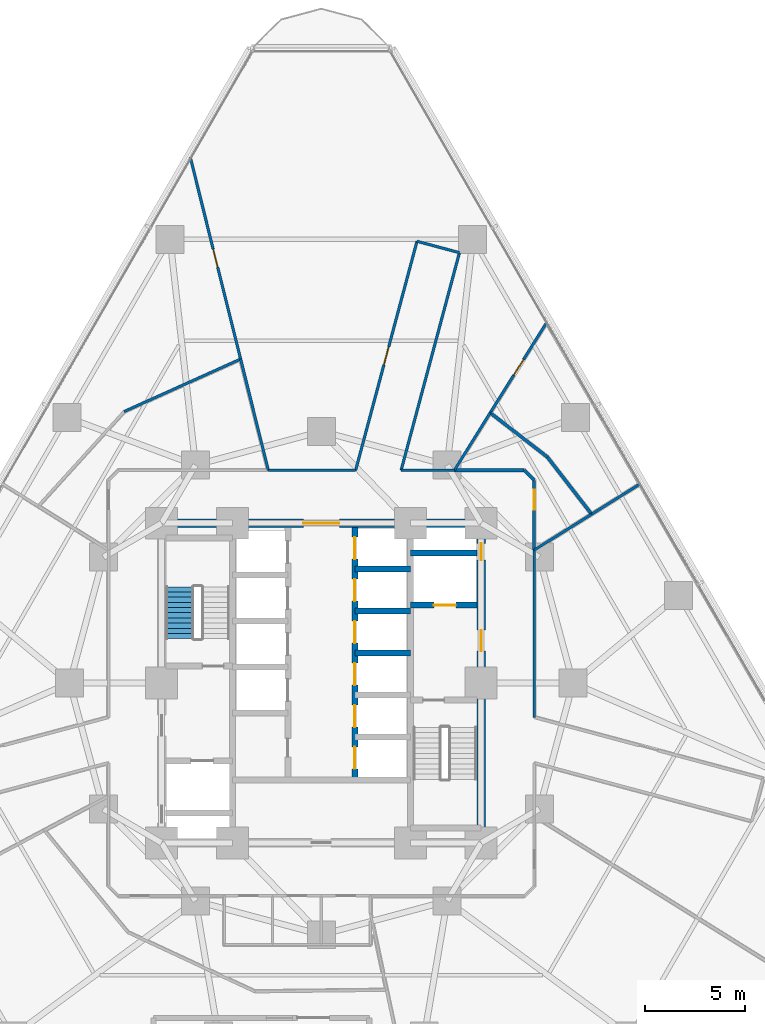
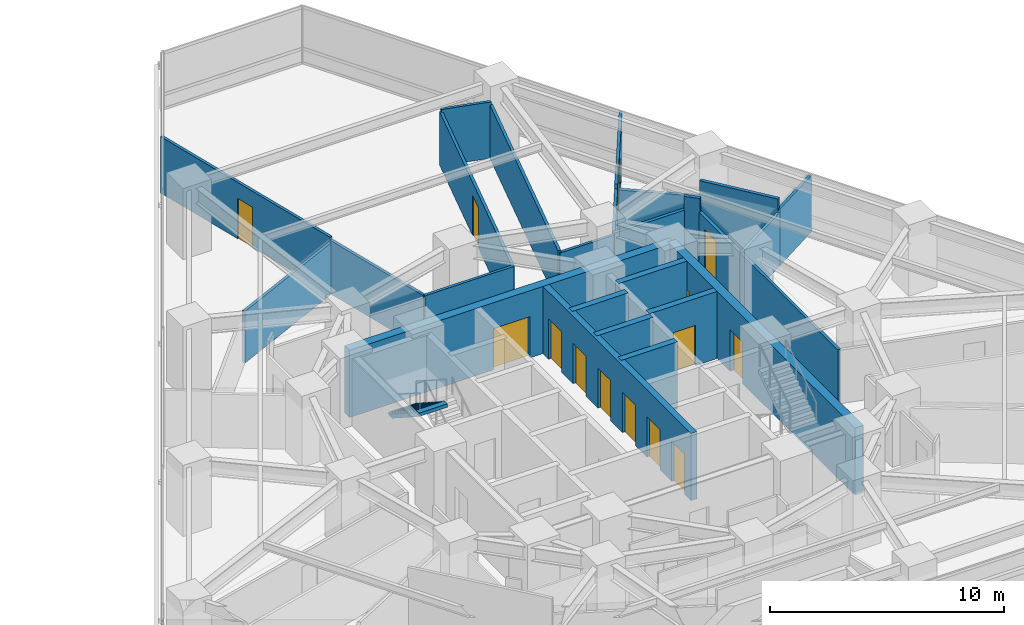
# One storey, part 10 of 16: 26 walls, 14 doors, 1 stair flight, 14 openings, 1 element without a shape of its own.
"""IFC4 building model written with IfcOpenShell, lengths in metres."""

from ifc_helpers import new_model, si_unit, direction, frame, frame_2d, origin, place, context, subcontext, project, spatial, polyline, rectangle, outline, extrude, material, layer, layer_set, type_object, element, fill, aggregate, save


model = new_model("IFC4")

# Units and contexts
model_context = context("Model", 3, precision=1e-05, world=origin(), true_north=direction((0.0, 1.0)))
body_context = subcontext(model_context, "Body", "Model", "MODEL_VIEW")
ifc_project = project(units=[si_unit("LENGTHUNIT", "METRE"), si_unit("AREAUNIT", "SQUARE_METRE"), si_unit("VOLUMEUNIT", "CUBIC_METRE"), si_unit("PLANEANGLEUNIT", "RADIAN"), si_unit("MASSUNIT", "GRAM", prefix="KILO")], contexts=[model_context])

# Site, building, storey
site_placement = place(None, origin())
site = spatial("IfcSite", under=ifc_project, at=site_placement, CompositionType="ELEMENT")
building_placement = place(site_placement, origin())
building = spatial("IfcBuilding", under=site, at=building_placement, Name="Terralouvre Media Tower", CompositionType="ELEMENT")
storey_placement = place(building_placement, frame((0.0, 0.0, 29.699951171875)))
storey = spatial("IfcBuildingStorey", under=building, at=storey_placement, Name="L06", CompositionType="ELEMENT", Elevation=29.699951171875)

# Wall, opening, door
ifc_material_1 = material(Name="Concrete C50/60", Category="concrete")
ifc_layer_1 = layer(ifc_material_1, 0.300048828125, Name="Core Internal Shaft Wall CW-300")
ifc_layer_set_1 = layer_set([ifc_layer_1], Name="Concrete C50/60")
wall_type_1 = type_object("IfcWallType", Name="Core Internal Shaft Wall CW-300", PredefinedType="SHEAR", material=ifc_layer_set_1)
wall_1_placement = place(storey_placement, frame((4.449951171875, 3.89990234375, 0.0), z_axis=(0.0, 0.0, 1.0), x_axis=(1.0, 0.0, 0.0)))
wall_1 = element("IfcWall", 1, at=wall_1_placement, inside=storey, type_object=wall_type_1, Name="L06 Core Shaft Wall FF2S", PredefinedType="SHEAR", context=body_context, shape_type="SweptSolid", body=[
    extrude(rectangle(XDim=3.340087890625, YDim=0.300048828125, at=frame_2d((1.669921875, 0.0))), origin(), (0.0, 0.0, 1.0), 3.5),
])
opening_1_placement = place(wall_1_placement, frame((1.179931640625, 0.0, 0.0)))
opening_1 = element("IfcOpeningElement", 2, at=opening_1_placement, cuts=wall_1, Name="Opening LD-FF", PredefinedType="OPENING", context=body_context, shape_type="SweptSolid", body=[
    extrude(rectangle(XDim=1.10009765625, YDim=2.10009765625, at=frame_2d((0.550048828125, 1.050048828125))), frame((0.0, 0.159912109375, 0.0), z_axis=(0.0, -1.0, 0.0), x_axis=(1.0, 0.0, 0.0)), (0.0, 0.0, 1.0), 0.320068359375),
])
ifc_material_2 = material(Name="Stainless steel 316 handrail and balustrade", Category="steel")
door_type_1 = type_object("IfcDoorType", Name="Firefighting Lift Sliding Landing Door LD-FF", OperationType="SLIDING_TO_LEFT", PredefinedType="DOOR", material=ifc_material_2)
door_1_placement = place(opening_1_placement, origin())
door_1 = element("IfcDoor", 3, at=door_1_placement, inside=storey, type_object=door_type_1, Name="L06 Firefighting Lift FFL-02 Landing Door", OperationType="SLIDING_TO_LEFT", OverallHeight=2.10009765625, OverallWidth=1.10009765625, PredefinedType="DOOR", context=body_context, shape_type="SweptSolid", body=[
    extrude(rectangle(XDim=1.10009765625, YDim=2.10009765625, at=frame_2d((0.550048828125, 1.050048828125))), frame((0.0, 0.02490234375, 0.0), z_axis=(0.0, -1.0, 0.0), x_axis=(1.0, 0.0, 0.0)), (0.0, 0.0, 1.0), 0.050048828125),
])
fill(opening_1, door_1)

# Wall
wall_2_placement = place(storey_placement, frame((4.449951171875, 6.5, 0.0), z_axis=(0.0, 0.0, 1.0), x_axis=(1.0, 0.0, 0.0)))
element("IfcWall", 4, at=wall_2_placement, inside=storey, type_object=wall_type_1, Name="L06 Core Shaft Wall FF2N", PredefinedType="SHEAR", context=body_context, shape_type="SweptSolid", body=[
    extrude(rectangle(XDim=3.340087890625, YDim=0.300048828125, at=frame_2d((1.669921875, 0.0))), origin(), (0.0, 0.0, 1.0), 3.5),
])

# Wall, openings, doors
wall_3_placement = place(storey_placement, frame((1.679931640625, -4.85009765625, 0.0), z_axis=(0.0, 0.0, 1.0), x_axis=(0.0, 1.0, 0.0)))
wall_3 = element("IfcWall", 5, at=wall_3_placement, inside=storey, type_object=wall_type_1, Name="L06 Core Shaft Wall LBE", PredefinedType="SHEAR", context=body_context, shape_type="SweptSolid", body=[
    extrude(rectangle(XDim=12.64013671875, YDim=0.300048828125, at=frame_2d((6.320068359375, 0.0))), origin(), (0.0, 0.0, 1.0), 3.5),
])
opening_2_placement = place(wall_3_placement, frame((0.550048828125, 0.0, 0.0)))
opening_2 = element("IfcOpeningElement", 6, at=opening_2_placement, cuts=wall_3, Name="Opening LD-PL", PredefinedType="OPENING", context=body_context, shape_type="SweptSolid", body=[
    extrude(rectangle(XDim=1.10009765625, YDim=2.10009765625, at=frame_2d((0.550048828125, 1.050048828125))), frame((0.0, 0.159912109375, 0.0), z_axis=(0.0, -1.0, 0.0), x_axis=(1.0, 0.0, 0.0)), (0.0, 0.0, 1.0), 0.320068359375),
])
opening_3_placement = place(wall_3_placement, frame((2.64990234375, 0.0, 0.0)))
opening_3 = element("IfcOpeningElement", 7, at=opening_3_placement, cuts=wall_3, Name="Opening LD-PL", PredefinedType="OPENING", context=body_context, shape_type="SweptSolid", body=[
    extrude(rectangle(XDim=1.10009765625, YDim=2.10009765625, at=frame_2d((0.550048828125, 1.050048828125))), frame((0.0, 0.159912109375, 0.0), z_axis=(0.0, -1.0, 0.0), x_axis=(1.0, 0.0, 0.0)), (0.0, 0.0, 1.0), 0.320068359375),
])
opening_4_placement = place(wall_3_placement, frame((4.75, 0.0, 0.0)))
opening_4 = element("IfcOpeningElement", 8, at=opening_4_placement, cuts=wall_3, Name="Opening LD-PL", PredefinedType="OPENING", context=body_context, shape_type="SweptSolid", body=[
    extrude(rectangle(XDim=1.10009765625, YDim=2.10009765625, at=frame_2d((0.550048828125, 1.050048828125))), frame((0.0, 0.159912109375, 0.0), z_axis=(0.0, -1.0, 0.0), x_axis=(1.0, 0.0, 0.0)), (0.0, 0.0, 1.0), 0.320068359375),
])
opening_5_placement = place(wall_3_placement, frame((6.85009765625, 0.0, 0.0)))
opening_5 = element("IfcOpeningElement", 9, at=opening_5_placement, cuts=wall_3, Name="Opening LD-PL", PredefinedType="OPENING", context=body_context, shape_type="SweptSolid", body=[
    extrude(rectangle(XDim=1.10009765625, YDim=2.10009765625, at=frame_2d((0.550048828125, 1.050048828125))), frame((0.0, 0.159912109375, 0.0), z_axis=(0.0, -1.0, 0.0), x_axis=(1.0, 0.0, 0.0)), (0.0, 0.0, 1.0), 0.320068359375),
])
opening_6_placement = place(wall_3_placement, frame((8.949951171875, 0.0, 0.0)))
opening_6 = element("IfcOpeningElement", 10, at=opening_6_placement, cuts=wall_3, Name="Opening LD-PL", PredefinedType="OPENING", context=body_context, shape_type="SweptSolid", body=[
    extrude(rectangle(XDim=1.10009765625, YDim=2.10009765625, at=frame_2d((0.550048828125, 1.050048828125))), frame((0.0, 0.159912109375, 0.0), z_axis=(0.0, -1.0, 0.0), x_axis=(1.0, 0.0, 0.0)), (0.0, 0.0, 1.0), 0.320068359375),
])
opening_7_placement = place(wall_3_placement, frame((11.050048828125, 0.0, 0.0)))
opening_7 = element("IfcOpeningElement", 11, at=opening_7_placement, cuts=wall_3, Name="Opening LD-PL", PredefinedType="OPENING", context=body_context, shape_type="SweptSolid", body=[
    extrude(rectangle(XDim=1.10009765625, YDim=2.10009765625, at=frame_2d((0.550048828125, 1.050048828125))), frame((0.0, 0.159912109375, 0.0), z_axis=(0.0, -1.0, 0.0), x_axis=(1.0, 0.0, 0.0)), (0.0, 0.0, 1.0), 0.320068359375),
])
ifc_material_3 = material(Name="Stainless steel 316 handrail and balustrade", Category="steel")
door_type_2 = type_object("IfcDoorType", Name="Passenger Lift Sliding Landing Door LD-PL", OperationType="SLIDING_TO_LEFT", PredefinedType="DOOR", material=ifc_material_3)
door_2_placement = place(opening_2_placement, origin())
door_2 = element("IfcDoor", 12, at=door_2_placement, inside=storey, type_object=door_type_2, Name="L06 High-Rise Lift PL-H1 Landing Door", OperationType="SLIDING_TO_LEFT", OverallHeight=2.10009765625, OverallWidth=1.10009765625, PredefinedType="DOOR", context=body_context, shape_type="SweptSolid", body=[
    extrude(rectangle(XDim=1.10009765625, YDim=2.10009765625, at=frame_2d((0.550048828125, 1.050048828125))), frame((0.0, 0.02490234375, 0.0), z_axis=(0.0, -1.0, 0.0), x_axis=(1.0, 0.0, 0.0)), (0.0, 0.0, 1.0), 0.050048828125),
])
fill(opening_2, door_2)
door_3_placement = place(opening_3_placement, origin())
door_3 = element("IfcDoor", 13, at=door_3_placement, inside=storey, type_object=door_type_2, Name="L06 High-Rise Lift PL-H2 Landing Door", OperationType="SLIDING_TO_LEFT", OverallHeight=2.10009765625, OverallWidth=1.10009765625, PredefinedType="DOOR", context=body_context, shape_type="SweptSolid", body=[
    extrude(rectangle(XDim=1.10009765625, YDim=2.10009765625, at=frame_2d((0.550048828125, 1.050048828125))), frame((0.0, 0.02490234375, 0.0), z_axis=(0.0, -1.0, 0.0), x_axis=(1.0, 0.0, 0.0)), (0.0, 0.0, 1.0), 0.050048828125),
])
fill(opening_3, door_3)
door_4_placement = place(opening_4_placement, origin())
door_4 = element("IfcDoor", 14, at=door_4_placement, inside=storey, type_object=door_type_2, Name="L06 High-Rise Lift PL-H3 Landing Door", OperationType="SLIDING_TO_LEFT", OverallHeight=2.10009765625, OverallWidth=1.10009765625, PredefinedType="DOOR", context=body_context, shape_type="SweptSolid", body=[
    extrude(rectangle(XDim=1.10009765625, YDim=2.10009765625, at=frame_2d((0.550048828125, 1.050048828125))), frame((0.0, 0.02490234375, 0.0), z_axis=(0.0, -1.0, 0.0), x_axis=(1.0, 0.0, 0.0)), (0.0, 0.0, 1.0), 0.050048828125),
])
fill(opening_4, door_4)
door_5_placement = place(opening_5_placement, origin())
door_5 = element("IfcDoor", 15, at=door_5_placement, inside=storey, type_object=door_type_2, Name="L06 Mid-Rise Lift PL-M1 Landing Door", OperationType="SLIDING_TO_LEFT", OverallHeight=2.10009765625, OverallWidth=1.10009765625, PredefinedType="DOOR", context=body_context, shape_type="SweptSolid", body=[
    extrude(rectangle(XDim=1.10009765625, YDim=2.10009765625, at=frame_2d((0.550048828125, 1.050048828125))), frame((0.0, 0.02490234375, 0.0), z_axis=(0.0, -1.0, 0.0), x_axis=(1.0, 0.0, 0.0)), (0.0, 0.0, 1.0), 0.050048828125),
])
fill(opening_5, door_5)
door_6_placement = place(opening_6_placement, origin())
door_6 = element("IfcDoor", 16, at=door_6_placement, inside=storey, type_object=door_type_2, Name="L06 Mid-Rise Lift PL-M2 Landing Door", OperationType="SLIDING_TO_LEFT", OverallHeight=2.10009765625, OverallWidth=1.10009765625, PredefinedType="DOOR", context=body_context, shape_type="SweptSolid", body=[
    extrude(rectangle(XDim=1.10009765625, YDim=2.10009765625, at=frame_2d((0.550048828125, 1.050048828125))), frame((0.0, 0.02490234375, 0.0), z_axis=(0.0, -1.0, 0.0), x_axis=(1.0, 0.0, 0.0)), (0.0, 0.0, 1.0), 0.050048828125),
])
fill(opening_6, door_6)
door_7_placement = place(opening_7_placement, origin())
door_7 = element("IfcDoor", 17, at=door_7_placement, inside=storey, type_object=door_type_2, Name="L06 Mid-Rise Lift PL-M3 Landing Door", OperationType="SLIDING_TO_LEFT", OverallHeight=2.10009765625, OverallWidth=1.10009765625, PredefinedType="DOOR", context=body_context, shape_type="SweptSolid", body=[
    extrude(rectangle(XDim=1.10009765625, YDim=2.10009765625, at=frame_2d((0.550048828125, 1.050048828125))), frame((0.0, 0.02490234375, 0.0), z_axis=(0.0, -1.0, 0.0), x_axis=(1.0, 0.0, 0.0)), (0.0, 0.0, 1.0), 0.050048828125),
])
fill(opening_7, door_7)

# Walls
for number, where, z_axis, x_axis, name in (
    (18, (1.679931640625, 1.5, 0.0), (0.0, 0.0, 1.0), (1.0, 0.0, 0.0), "L06 Core Shaft Wall PLMD0"),
    (19, (1.679931640625, 3.60009765625, 0.0), (0.0, 0.0, 1.0), (1.0, 0.0, 0.0), "L06 Core Shaft Wall PLMD1"),
    (20, (1.679931640625, 5.699951171875, 0.0), (0.0, 0.0, 1.0), (1.0, 0.0, 0.0), "L06 Core Shaft Wall PLMD2"),
):
    element("IfcWall", number, at=place(storey_placement, frame(where, z_axis=z_axis, x_axis=x_axis)), inside=storey, type_object=wall_type_1, Name=name, PredefinedType="SHEAR", context=body_context, shape_type="SweptSolid", body=[
        extrude(rectangle(XDim=2.77001953125, YDim=0.300048828125, at=frame_2d((1.385009765625, 0.0))), origin(), (0.0, 0.0, 1.0), 3.5),
    ])

# Wall, openings, doors
ifc_material_4 = material(Name="Concrete C60/75", Category="concrete")
ifc_layer_2 = layer(ifc_material_4, 0.419921875, Name="Core Reinforced Concrete Shear Wall CW-420")
ifc_layer_set_2 = layer_set([ifc_layer_2], Name="Concrete C60/75")
wall_type_2 = type_object("IfcWallType", Name="Core Reinforced Concrete Shear Wall CW-420", PredefinedType="SHEAR", material=ifc_layer_set_2)
wall_4_placement = place(storey_placement, frame((8.0, -8.0, 0.0), z_axis=(0.0, 0.0, 1.0), x_axis=(0.0, 1.0, 0.0)))
wall_4 = element("IfcWall", 21, at=wall_4_placement, inside=storey, type_object=wall_type_2, Name="L06 E Core Shear Wall", PredefinedType="SHEAR", context=body_context, shape_type="SweptSolid", body=[
    extrude(rectangle(XDim=16.0, YDim=0.419921875, at=frame_2d((8.0, 0.0))), origin(), (0.0, 0.0, 1.0), 3.5),
])
opening_8_placement = place(wall_4_placement, frame((9.60009765625, 0.0, 0.0)))
opening_8 = element("IfcOpeningElement", 22, at=opening_8_placement, cuts=wall_4, Name="Opening FD-01-105X215", PredefinedType="OPENING", context=body_context, shape_type="SweptSolid", body=[
    extrude(rectangle(XDim=1.050048828125, YDim=2.14990234375, at=frame_2d((0.52490234375, 1.074951171875))), frame((0.0, 0.219970703125, 0.0), z_axis=(0.0, -1.0, 0.0), x_axis=(1.0, 0.0, 0.0)), (0.0, 0.0, 1.0), 0.43994140625),
])
opening_9_placement = place(wall_4_placement, frame((14.148193359375, 0.0, 0.0)))
opening_9 = element("IfcOpeningElement", 23, at=opening_9_placement, cuts=wall_4, Name="Opening TD-R1", PredefinedType="OPENING", context=body_context, shape_type="SweptSolid", body=[
    extrude(rectangle(XDim=0.85009765625, YDim=2.02001953125, at=frame_2d((0.425048828125, 1.010009765625))), frame((0.0, 0.219970703125, 0.0), z_axis=(0.0, -1.0, 0.0), x_axis=(1.0, 0.0, 0.0)), (0.0, 0.0, 1.0), 0.43994140625),
])
ifc_material_5 = material(Name="Galvanised steel fire-resisting leaf", Category="steel")
door_type_3 = type_object("IfcDoorType", Name="Riser Inspection Access Trapdoor TD-R1", OperationType="NOTDEFINED", PredefinedType="TRAPDOOR", material=ifc_material_5)
door_8_placement = place(opening_9_placement, origin())
door_8 = element("IfcDoor", 24, at=door_8_placement, inside=storey, type_object=door_type_3, Name="L06 East Comms Riser Access Trapdoor", OperationType="SINGLE_SWING_RIGHT", OverallHeight=2.02001953125, OverallWidth=0.85009765625, PredefinedType="TRAPDOOR", context=body_context, shape_type="SweptSolid", body=[
    extrude(rectangle(XDim=0.85009765625, YDim=2.02001953125, at=frame_2d((0.425048828125, 1.010009765625))), frame((0.0, 0.02490234375, 0.0), z_axis=(0.0, -1.0, 0.0), x_axis=(1.0, 0.0, 0.0)), (0.0, 0.0, 1.0), 0.050048828125),
])
fill(opening_9, door_8)
ifc_material_6 = material(Name="Galvanised steel fire-resisting leaf", Category="steel")
door_type_4 = type_object("IfcDoorType", Name="Stair and Firefighting Lobby Fire Door FD-01 (1050x2150)", OperationType="NOTDEFINED", PredefinedType="DOOR", material=ifc_material_6)
door_9_placement = place(opening_8_placement, origin())
door_9 = element("IfcDoor", 25, at=door_9_placement, inside=storey, type_object=door_type_4, Name="L06 East Firefighting Lobby Entry Door", OperationType="SINGLE_SWING_LEFT", OverallHeight=2.14990234375, OverallWidth=1.050048828125, PredefinedType="DOOR", context=body_context, shape_type="SweptSolid", body=[
    extrude(rectangle(XDim=1.050048828125, YDim=2.14990234375, at=frame_2d((0.52490234375, 1.074951171875))), frame((0.0, 0.02490234375, 0.0), z_axis=(0.0, -1.0, 0.0), x_axis=(1.0, 0.0, 0.0)), (0.0, 0.0, 1.0), 0.050048828125),
])
fill(opening_8, door_9)

# Wall, opening, door
wall_5_placement = place(storey_placement, frame((-8.0, 8.0, 0.0), z_axis=(0.0, 0.0, 1.0), x_axis=(1.0, 0.0, 0.0)))
wall_5 = element("IfcWall", 26, at=wall_5_placement, inside=storey, type_object=wall_type_2, Name="L06 N Core Shear Wall", PredefinedType="SHEAR", context=body_context, shape_type="SweptSolid", body=[
    extrude(rectangle(XDim=16.0, YDim=0.419921875, at=frame_2d((8.0, 0.0))), origin(), (0.0, 0.0, 1.0), 3.5),
])
opening_10_placement = place(wall_5_placement, frame((7.10009765625, 0.0, 0.0)))
opening_10 = element("IfcOpeningElement", 27, at=opening_10_placement, cuts=wall_5, Name="Opening FD-03", PredefinedType="OPENING", context=body_context, shape_type="SweptSolid", body=[
    extrude(rectangle(XDim=1.800048828125, YDim=2.14990234375, at=frame_2d((0.89990234375, 1.074951171875))), frame((0.0, 0.219970703125, 0.0), z_axis=(0.0, -1.0, 0.0), x_axis=(1.0, 0.0, 0.0)), (0.0, 0.0, 1.0), 0.43994140625),
])
ifc_material_7 = material(Name="Galvanised steel fire-resisting leaf", Category="steel")
door_type_5 = type_object("IfcDoorType", Name="Corridor Smoke-Control Double Door FD-03", OperationType="DOUBLE_DOOR_SINGLE_SWING", PredefinedType="DOOR", material=ifc_material_7)
door_10_placement = place(opening_10_placement, origin())
door_10 = element("IfcDoor", 28, at=door_10_placement, inside=storey, type_object=door_type_5, Name="L06 Central Lift Lobby Portal Door", OperationType="DOUBLE_DOOR_SINGLE_SWING", OverallHeight=2.14990234375, OverallWidth=1.800048828125, PredefinedType="DOOR", context=body_context, shape_type="SweptSolid", body=[
    extrude(rectangle(XDim=1.800048828125, YDim=2.14990234375, at=frame_2d((0.89990234375, 1.074951171875))), frame((0.0, 0.02490234375, 0.0), z_axis=(0.0, -1.0, 0.0), x_axis=(1.0, 0.0, 0.0)), (0.0, 0.0, 1.0), 0.050048828125),
])
fill(opening_10, door_10)

# Walls
ifc_material_8 = material(Name="Fire-rated gypsum board drywall partition")
ifc_layer_3 = layer(ifc_material_8, 0.135009765625, Name="Newsroom Acoustic Partition PT-135")
ifc_layer_set_3 = layer_set([ifc_layer_3], Name="Fire-rated gypsum board drywall partition")
wall_type_3 = type_object("IfcWallType", Name="Newsroom Acoustic Partition PT-135", PredefinedType="PARTITIONING", material=ifc_layer_set_3)
wall_6_placement = place(storey_placement, frame((10.64990234375, -1.715087890625, 0.0), z_axis=(0.0, 0.0, 1.0), x_axis=(0.0, 1.0, 0.0)))
element("IfcWall", 29, at=wall_6_placement, inside=storey, type_object=wall_type_3, Name="L06 Interior Partition 005", PredefinedType="PARTITIONING", context=body_context, shape_type="SweptSolid", body=[
    extrude(rectangle(XDim=8.3701171875, YDim=0.135009765625, at=frame_2d((4.18505859375, 0.0))), origin(), (0.0, 0.0, 1.0), 2.78515625),
])
wall_7_placement = place(storey_placement, frame((6.655029296875, 10.64990234375, 0.0), z_axis=(0.0, 0.0, 1.0), x_axis=(-1.0, 0.0, 0.0)))
element("IfcWall", 30, at=wall_7_placement, inside=storey, type_object=wall_type_3, Name="L06 Interior Partition 006", PredefinedType="PARTITIONING", context=body_context, shape_type="SweptSolid", body=[
    extrude(rectangle(XDim=2.6630859375, YDim=0.135009765625, at=frame_2d((1.33154296875, 0.0))), origin(), (0.0, 0.0, 1.0), 2.68505859375),
])
wall_8_placement = place(storey_placement, frame((3.991943359375, 10.64990234375, 0.0), z_axis=(0.0, 0.0, 1.0), x_axis=(0.258889712088, 0.965906888357, 0.0)))
element("IfcWall", 31, at=wall_8_placement, inside=storey, type_object=wall_type_3, Name="L06 Interior Partition 007", PredefinedType="PARTITIONING", context=body_context, shape_type="SweptSolid", body=[
    extrude(rectangle(XDim=11.279541015625, YDim=0.135009765625, at=frame_2d((5.6396484375, 0.0))), origin(), (0.0, 0.0, 1.0), 2.78515625),
])
wall_9_placement = place(storey_placement, frame((6.912109375, 21.544921875, 0.0), z_axis=(0.0, 0.0, 1.0), x_axis=(-0.965848933329, 0.259105843213, 0.0)))
element("IfcWall", 32, at=wall_9_placement, inside=storey, type_object=wall_type_3, Name="L06 Interior Partition 008", PredefinedType="PARTITIONING", context=body_context, shape_type="SweptSolid", body=[
    extrude(rectangle(XDim=2.2001953125, YDim=0.135009765625, at=frame_2d((1.10009765625, 0.0))), origin(), (0.0, 0.0, 1.0), 2.93505859375),
])

# Wall, opening, door
wall_10_placement = place(storey_placement, frame((4.787109375, 22.114990234375, 0.0), z_axis=(0.0, 0.0, 1.0), x_axis=(-0.258815935688, -0.965926659449, 0.0)))
wall_10 = element("IfcWall", 33, at=wall_10_placement, inside=storey, type_object=wall_type_3, Name="L06 Interior Partition 009", PredefinedType="PARTITIONING", context=body_context, shape_type="SweptSolid", body=[
    extrude(rectangle(XDim=11.86962890625, YDim=0.135009765625, at=frame_2d((5.934814453125, 0.0))), origin(), (0.0, 0.0, 1.0), 2.78515625),
])
opening_11_placement = place(wall_10_placement, frame((5.459716796875, 0.0, 0.0)))
opening_11 = element("IfcOpeningElement", 34, at=opening_11_placement, cuts=wall_10, Name="Opening ID-02-95X210", PredefinedType="OPENING", context=body_context, shape_type="SweptSolid", body=[
    extrude(rectangle(XDim=0.949951171875, YDim=2.10009765625, at=frame_2d((0.47509765625, 1.050048828125))), frame((0.0, 0.077392578125, 0.0), z_axis=(0.0, -1.0, 0.0), x_axis=(1.0, 0.0, 0.0)), (0.0, 0.0, 1.0), 0.155029296875),
])
ifc_material_9 = material(Name="Engineered hardwood acoustic timber leaf", Category="wood")
door_type_6 = type_object("IfcDoorType", Name="Office and Meeting Room Door ID-02 (950x2100)", OperationType="NOTDEFINED", PredefinedType="DOOR", material=ifc_material_9)
door_11_placement = place(opening_11_placement, origin())
door_11 = element("IfcDoor", 35, at=door_11_placement, inside=storey, type_object=door_type_6, Name="L06 Breaking Desk Editorial Office 2 Door", OperationType="SINGLE_SWING_LEFT", OverallHeight=2.10009765625, OverallWidth=0.949951171875, PredefinedType="DOOR", context=body_context, shape_type="SweptSolid", body=[
    extrude(rectangle(XDim=0.949951171875, YDim=2.10009765625, at=frame_2d((0.47509765625, 1.050048828125))), frame((0.0, 0.02490234375, 0.0), z_axis=(0.0, -1.0, 0.0), x_axis=(1.0, 0.0, 0.0)), (0.0, 0.0, 1.0), 0.050048828125),
])
fill(opening_11, door_11)

# Walls
wall_11_placement = place(storey_placement, frame((1.715087890625, 10.64990234375, 0.0), z_axis=(0.0, 0.0, 1.0), x_axis=(-1.0, 0.0, 0.0)))
element("IfcWall", 36, at=wall_11_placement, inside=storey, type_object=wall_type_3, Name="L06 Interior Partition 010", PredefinedType="PARTITIONING", context=body_context, shape_type="SweptSolid", body=[
    extrude(rectangle(XDim=4.3701171875, YDim=0.135009765625, at=frame_2d((2.18505859375, 0.0))), origin(), (0.0, 0.0, 1.0), 2.78515625),
])
wall_12_placement = place(storey_placement, frame((13.528076171875, 8.452880859375, 0.0), z_axis=(0.0, 0.0, 1.0), x_axis=(-0.848131653937, -0.529785520366, 0.0)))
element("IfcWall", 37, at=wall_12_placement, inside=storey, type_object=wall_type_3, Name="L06 Interior Partition 032", PredefinedType="PARTITIONING", context=body_context, shape_type="SweptSolid", body=[
    extrude(rectangle(XDim=3.3935546875, YDim=0.135009765625, at=frame_2d((1.69677734375, 0.0))), origin(), (0.0, 0.0, 1.0), 2.78515625),
])
wall_13_placement = place(storey_placement, frame((15.984130859375, 9.98828125, 0.0), z_axis=(0.0, 0.0, 1.0), x_axis=(-0.847941475479, -0.5300898548, 0.0)))
element("IfcWall", 38, at=wall_13_placement, inside=storey, type_object=wall_type_3, Name="L06 Interior Partition 033", PredefinedType="PARTITIONING", context=body_context, shape_type="SweptSolid", body=[
    extrude(rectangle(XDim=2.896484375, YDim=0.135009765625, at=frame_2d((1.4482421875, 0.0))), origin(), (0.0, 0.0, 1.0), 2.93505859375),
])
wall_14_placement = place(storey_placement, frame((6.655029296875, 10.64990234375, 0.0), z_axis=(0.0, 0.0, 1.0), x_axis=(0.529785520366, 0.848131653937, 0.0)))
element("IfcWall", 39, at=wall_14_placement, inside=storey, type_object=wall_type_3, Name="L06 Interior Partition 034", PredefinedType="PARTITIONING", context=body_context, shape_type="SweptSolid", body=[
    extrude(rectangle(XDim=3.3935546875, YDim=0.135009765625, at=frame_2d((1.69677734375, 0.0))), origin(), (0.0, 0.0, 1.0), 2.68505859375),
])

# Wall, opening, door
wall_15_placement = place(storey_placement, frame((8.452880859375, 13.528076171875, 0.0), z_axis=(0.0, 0.0, 1.0), x_axis=(0.529933702465, 0.848039073977, 0.0)))
wall_15 = element("IfcWall", 40, at=wall_15_placement, inside=storey, type_object=wall_type_3, Name="L06 Interior Partition 035", PredefinedType="PARTITIONING", context=body_context, shape_type="SweptSolid", body=[
    extrude(rectangle(XDim=5.38232421875, YDim=0.135009765625, at=frame_2d((2.691162109375, 0.0))), origin(), (0.0, 0.0, 1.0), 2.93505859375),
])
opening_12_placement = place(wall_15_placement, frame((2.231201171875, 0.0, 0.0)))
opening_12 = element("IfcOpeningElement", 41, at=opening_12_placement, cuts=wall_15, Name="Opening ID-03-92X210", PredefinedType="OPENING", context=body_context, shape_type="SweptSolid", body=[
    extrude(rectangle(XDim=0.919921875, YDim=2.10009765625, at=frame_2d((0.4599609375, 1.050048828125))), frame((0.0, 0.077392578125, 0.0), z_axis=(0.0, -1.0, 0.0), x_axis=(1.0, 0.0, 0.0)), (0.0, 0.0, 1.0), 0.155029296875),
])
ifc_material_10 = material(Name="Engineered hardwood acoustic timber leaf", Category="wood")
door_type_7 = type_object("IfcDoorType", Name="Accessible Restroom and Suite Door ID-03 (920x2100)", OperationType="NOTDEFINED", PredefinedType="DOOR", material=ifc_material_10)
door_12_placement = place(opening_12_placement, origin())
door_12 = element("IfcDoor", 42, at=door_12_placement, inside=storey, type_object=door_type_7, Name="L06 Newsroom Tea Pantry 8 Door", OperationType="SINGLE_SWING_LEFT", OverallHeight=2.10009765625, OverallWidth=0.919921875, PredefinedType="DOOR", context=body_context, shape_type="SweptSolid", body=[
    extrude(rectangle(XDim=0.919921875, YDim=2.10009765625, at=frame_2d((0.4599609375, 1.050048828125))), frame((0.0, 0.02490234375, 0.0), z_axis=(0.0, -1.0, 0.0), x_axis=(1.0, 0.0, 0.0)), (0.0, 0.0, 1.0), 0.050048828125),
])
fill(opening_12, door_12)

wall_16_placement = place(storey_placement, frame((-6.56005859375, 26.311279296875, 0.0), z_axis=(0.0, 0.0, 1.0), x_axis=(0.241883926999, -0.970305192122, 0.0)))
wall_16 = element("IfcWall", 43, at=wall_16_placement, inside=storey, type_object=wall_type_3, Name="L06 Interior Partition 036", PredefinedType="PARTITIONING", context=body_context, shape_type="SweptSolid", body=[
    extrude(rectangle(XDim=10.402099609375, YDim=0.135009765625, at=frame_2d((5.201171875, 0.0))), origin(), (0.0, 0.0, 1.0), 2.93505859375),
])
opening_13_placement = place(wall_16_placement, frame((4.740966796875, 0.0, 0.0)))
opening_13 = element("IfcOpeningElement", 44, at=opening_13_placement, cuts=wall_16, Name="Opening ID-03-92X210", PredefinedType="OPENING", context=body_context, shape_type="SweptSolid", body=[
    extrude(rectangle(XDim=0.919921875, YDim=2.10009765625, at=frame_2d((0.4599609375, 1.050048828125))), frame((0.0, 0.077392578125, 0.0), z_axis=(0.0, -1.0, 0.0), x_axis=(1.0, 0.0, 0.0)), (0.0, 0.0, 1.0), 0.155029296875),
])
door_13_placement = place(opening_13_placement, origin())
door_13 = element("IfcDoor", 45, at=door_13_placement, inside=storey, type_object=door_type_7, Name="L06 Press Tape Archive Storage 9 Door", OperationType="SINGLE_SWING_RIGHT", OverallHeight=2.10009765625, OverallWidth=0.919921875, PredefinedType="DOOR", context=body_context, shape_type="SweptSolid", body=[
    extrude(rectangle(XDim=0.919921875, YDim=2.10009765625, at=frame_2d((0.4599609375, 1.050048828125))), frame((0.0, 0.02490234375, 0.0), z_axis=(0.0, -1.0, 0.0), x_axis=(1.0, 0.0, 0.0)), (0.0, 0.0, 1.0), 0.050048828125),
])
fill(opening_13, door_13)

# Walls
wall_17_placement = place(storey_placement, frame((-4.0439453125, 16.218017578125, 0.0), z_axis=(0.0, 0.0, 1.0), x_axis=(0.242025079774, -0.970269993744, 0.0)))
element("IfcWall", 46, at=wall_17_placement, inside=storey, type_object=wall_type_3, Name="L06 Interior Partition 037", PredefinedType="PARTITIONING", context=body_context, shape_type="SweptSolid", body=[
    extrude(rectangle(XDim=5.73876953125, YDim=0.135009765625, at=frame_2d((2.869384765625, 0.0))), origin(), (0.0, 0.0, 1.0), 2.78515625),
])
wall_18_placement = place(storey_placement, frame((-9.875, 13.591064453125, 0.0), z_axis=(0.0, 0.0, 1.0), x_axis=(0.911747140101, 0.4107519355, 0.0)))
element("IfcWall", 47, at=wall_18_placement, inside=storey, type_object=wall_type_3, Name="L06 Interior Partition 058", PredefinedType="PARTITIONING", context=body_context, shape_type="SweptSolid", body=[
    extrude(rectangle(XDim=6.3955078125, YDim=0.135009765625, at=frame_2d((3.19775390625, 0.0))), origin(), (0.0, 0.0, 1.0), 2.68505859375),
])

# Wall, opening, door
ifc_material_11 = material(Name="Fire-rated gypsum board drywall partition")
ifc_layer_4 = layer(ifc_material_11, 0.159912109375, Name="Studio Acoustic Rated Partition PT-160")
ifc_layer_set_4 = layer_set([ifc_layer_4], Name="Fire-rated gypsum board drywall partition")
wall_type_4 = type_object("IfcWallType", Name="Studio Acoustic Rated Partition PT-160", PredefinedType="PARTITIONING", material=ifc_layer_set_4)
wall_19_placement = place(storey_placement, frame((10.64990234375, 6.655029296875, 0.0), z_axis=(0.0, 0.0, 1.0), x_axis=(0.0, 1.0, 0.0)))
wall_19 = element("IfcWall", 48, at=wall_19_placement, inside=storey, type_object=wall_type_4, Name="L06 Interior Partition 025", PredefinedType="PARTITIONING", context=body_context, shape_type="SweptSolid", body=[
    extrude(rectangle(XDim=3.494873046875, YDim=0.159912109375, at=frame_2d((1.74755859375, 0.0))), origin(), (0.0, 0.0, 1.0), 2.78515625),
])
opening_14_placement = place(wall_19_placement, frame((2.016357421875, 0.0, 0.0)))
opening_14 = element("IfcOpeningElement", 49, at=opening_14_placement, cuts=wall_19, Name="Opening ID-01-100X215", PredefinedType="OPENING", context=body_context, shape_type="SweptSolid", body=[
    extrude(rectangle(XDim=1.0, YDim=2.14990234375, at=frame_2d((0.5, 1.074951171875))), frame((0.0, 0.08984375, 0.0), z_axis=(0.0, -1.0, 0.0), x_axis=(1.0, 0.0, 0.0)), (0.0, 0.0, 1.0), 0.179931640625),
])
ifc_material_12 = material(Name="Engineered hardwood acoustic timber leaf", Category="wood")
door_type_8 = type_object("IfcDoorType", Name="Broadcast Studio Acoustic Single Door ID-01 (1000x2150)", OperationType="NOTDEFINED", PredefinedType="DOOR", material=ifc_material_12)
door_14_placement = place(opening_14_placement, origin())
door_14 = element("IfcDoor", 50, at=door_14_placement, inside=storey, type_object=door_type_8, Name="L06 Live Feed Master Control Room 7 Door", OperationType="SINGLE_SWING_RIGHT", OverallHeight=2.14990234375, OverallWidth=1.0, PredefinedType="DOOR", context=body_context, shape_type="SweptSolid", body=[
    extrude(rectangle(XDim=1.0, YDim=2.14990234375, at=frame_2d((0.5, 1.074951171875))), frame((0.0, 0.02490234375, 0.0), z_axis=(0.0, -1.0, 0.0), x_axis=(1.0, 0.0, 0.0)), (0.0, 0.0, 1.0), 0.050048828125),
])
fill(opening_14, door_14)

# Walls
wall_20_placement = place(storey_placement, frame((10.64990234375, 10.14990234375, 0.0), z_axis=(0.0, 0.0, 1.0), x_axis=(-0.707106781187, 0.707106781187, 0.0)))
element("IfcWall", 51, at=wall_20_placement, inside=storey, type_object=wall_type_4, Name="L06 Interior Partition 026", PredefinedType="PARTITIONING", context=body_context, shape_type="SweptSolid", body=[
    extrude(rectangle(XDim=0.70703125, YDim=0.159912109375, at=frame_2d((0.353515625, 0.0))), origin(), (0.0, 0.0, 1.0), 3.5),
])
wall_21_placement = place(storey_placement, frame((10.14990234375, 10.64990234375, 0.0), z_axis=(0.0, 0.0, 1.0), x_axis=(-1.0, 0.0, 0.0)))
element("IfcWall", 52, at=wall_21_placement, inside=storey, type_object=wall_type_4, Name="L06 Interior Partition 027", PredefinedType="PARTITIONING", context=body_context, shape_type="SweptSolid", body=[
    extrude(rectangle(XDim=3.494873046875, YDim=0.159912109375, at=frame_2d((1.74755859375, 0.0))), origin(), (0.0, 0.0, 1.0), 2.78515625),
])
wall_22_placement = place(storey_placement, frame((13.528076171875, 8.452880859375, 0.0), z_axis=(0.0, 0.0, 1.0), x_axis=(-0.612013931987, 0.790846980809, 0.0)))
element("IfcWall", 53, at=wall_22_placement, inside=storey, type_object=wall_type_4, Name="L06 Interior Partition 055", PredefinedType="PARTITIONING", context=body_context, shape_type="SweptSolid", body=[
    extrude(rectangle(XDim=3.61767578125, YDim=0.159912109375, at=frame_2d((1.808837890625, 0.0))), origin(), (0.0, 0.0, 1.0), 3.5),
])
wall_23_placement = place(storey_placement, frame((11.31396484375, 11.31396484375, 0.0), z_axis=(0.0, 0.0, 1.0), x_axis=(-0.790846980809, 0.612013931987, 0.0)))
element("IfcWall", 54, at=wall_23_placement, inside=storey, type_object=wall_type_4, Name="L06 Interior Partition 056", PredefinedType="PARTITIONING", context=body_context, shape_type="SweptSolid", body=[
    extrude(rectangle(XDim=3.61767578125, YDim=0.159912109375, at=frame_2d((1.808837890625, 0.0))), origin(), (0.0, 0.0, 1.0), 2.68505859375),
])

# Stair, stair flight
ifc_material_13 = material(Name="Concrete C45/55", Category="concrete")
stair_type = type_object("IfcStairType", Name="Dogleg Stair Assembly ST-01", PredefinedType="HALF_TURN_STAIR", material=ifc_material_13)
stair_placement = place(storey_placement, origin())
stair = element("IfcStair", 55, at=stair_placement, inside=storey, type_object=stair_type, Name="L06 Core Pressurised Exit Stair ST-01", PredefinedType="HALF_TURN_STAIR")
ifc_material_14 = material(Name="Concrete C45/55", Category="concrete")
stair_flight_type = type_object("IfcStairFlightType", Name="Reinforced Concrete Stair Flight SF-RC1", PredefinedType="STRAIGHT", material=ifc_material_14)
stair_flight_placement = place(storey_placement, frame((-7.080078125, 4.820068359375, 1.85009765625), z_axis=(0.0, 0.0, 1.0), x_axis=(0.0, -1.0, 0.0)))
stair_flight = element("IfcStairFlight", 56, at=stair_flight_placement, type_object=stair_flight_type, Name="ST-01 flight 2", NumberOfRisers=11, NumberOfTreads=10, PredefinedType="STRAIGHT", RiserHeight=0.168181818, TreadLength=0.26, context=body_context, shape_type="SweptSolid", body=[
    extrude(outline(polyline([(0.0, 0.0), (0.0, 0.168212890625), (0.260009765625, 0.168212890625), (0.260009765625, 0.33642578125), (0.52001953125, 0.33642578125), (0.52001953125, 0.504638671875), (0.780029296875, 0.504638671875), (0.780029296875, 0.672607421875), (1.0400390625, 0.672607421875), (1.0400390625, 0.8408203125), (1.300048828125, 0.8408203125), (1.300048828125, 1.009033203125), (1.56005859375, 1.009033203125), (1.56005859375, 1.17724609375), (1.820068359375, 1.17724609375), (1.820068359375, 1.345458984375), (2.080078125, 1.345458984375), (2.080078125, 1.513671875), (2.340087890625, 1.513671875), (2.340087890625, 1.681884765625), (2.60009765625, 1.681884765625), (2.60009765625, 1.85009765625), (2.60009765625, 1.503173828125), (0.27587890625, 0.0), (0.0, 0.0)])), frame((0.0, 0.699951171875, 0.0), z_axis=(0.0, -1.0, 0.0), x_axis=(1.0, 0.0, 0.0)), (0.0, 0.0, 1.0), 1.39990234375),
])
aggregate(stair, [stair_flight])

save(model, "model.ifc")
